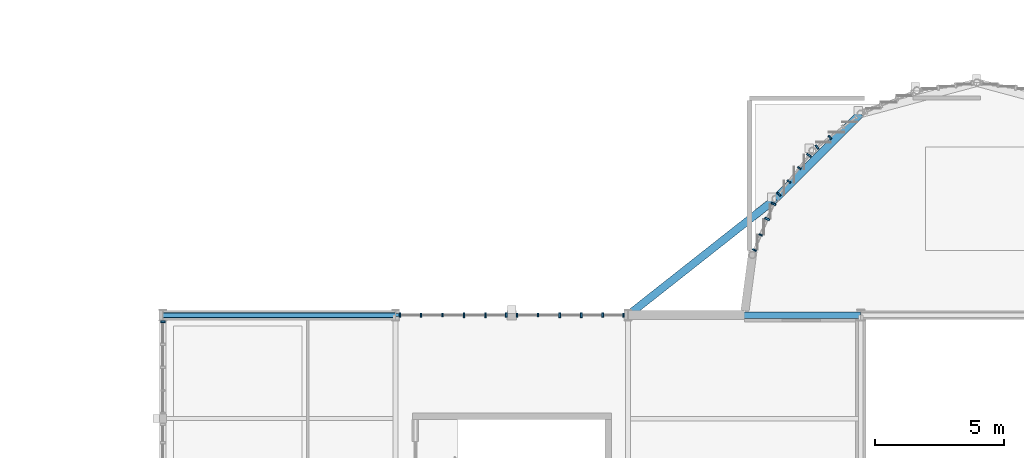
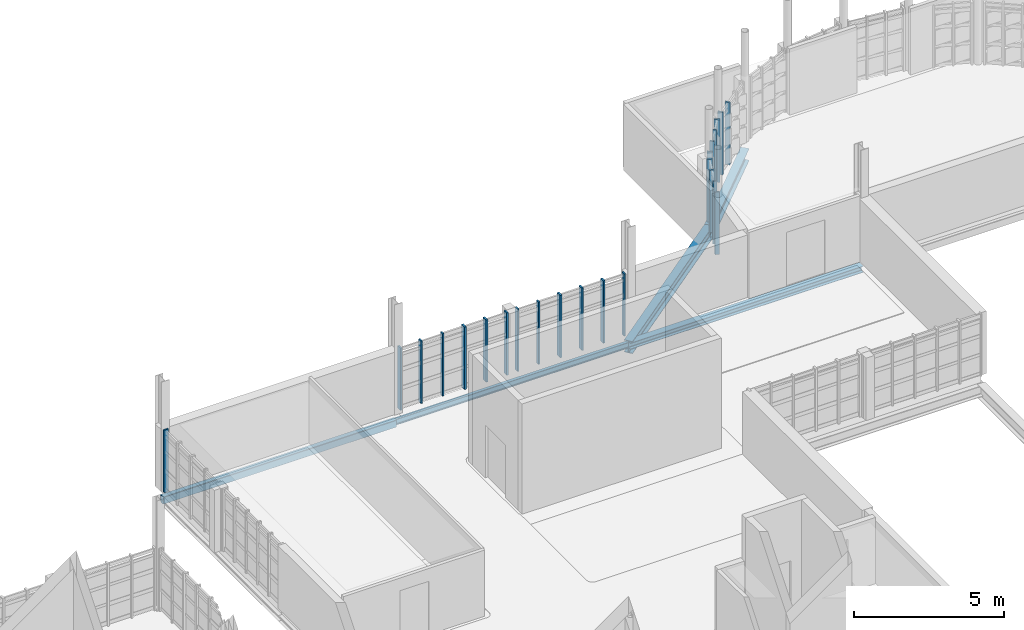
# One storey, part 12 of 44: 23 members, 5 beams, 6 elements without a shape of their own.
"""IFC4 building model written with IfcOpenShell, lengths in metres."""

from ifc_helpers import new_model, si_unit, direction, frame, origin, origin_2d, place, context, subcontext, project, spatial, rectangle, hollow_rectangle, i_section, extrude, material, material_profile, profile_set, type_object, element, aggregate, save


model = new_model("IFC4")

# Units and contexts
model_context = context("Model", 3, precision=1e-05, world=origin(), true_north=direction((0.0, 1.0)))
body_context = subcontext(model_context, "Body", "Model", "MODEL_VIEW")
ifc_project = project(units=[si_unit("LENGTHUNIT", "METRE"), si_unit("AREAUNIT", "SQUARE_METRE"), si_unit("VOLUMEUNIT", "CUBIC_METRE"), si_unit("PLANEANGLEUNIT", "RADIAN"), si_unit("MASSUNIT", "GRAM", prefix="KILO")], contexts=[model_context])

# Site, building, storey
site_placement = place(None, origin())
site = spatial("IfcSite", under=ifc_project, at=site_placement, CompositionType="ELEMENT")
building_placement = place(site_placement, origin())
building = spatial("IfcBuilding", under=site, at=building_placement, Name="Serraforn Aerial Cableway Station", CompositionType="ELEMENT")
storey_placement = place(building_placement, frame((0.0, 0.0, 13.800048828125)))
storey = spatial("IfcBuildingStorey", under=building, at=storey_placement, Name="L03", CompositionType="ELEMENT", Elevation=13.800048828125)

# Beams
ifc_material_1 = material(Name="Steel S355J2", Category="steel")
ifc_material_profile_1 = material_profile(ifc_material_1, i_section(OverallWidth=0.300048828125, OverallDepth=0.5, WebThickness=0.011962890625, FlangeThickness=0.02294921875, FilletRadius=0.027099609375, at=origin_2d()), Name="HEA 500")
ifc_profile_set_1 = profile_set([ifc_material_profile_1], Name="Steel S355J2")
beam_type_1 = type_object("IfcBeamType", Name="BM-ST-HEA500", PredefinedType="USERDEFINED", material=ifc_profile_set_1)
beam_1_placement = place(storey_placement, frame((45.60009765625, 42.0, -0.545166015625), z_axis=(0.785189683878, 0.619255327253, 0.0), x_axis=(-0.619255327253, 0.785189683878, 0.0)))
element("IfcBeam", 1, at=beam_1_placement, inside=storey, type_object=beam_type_1, Name="Apse Ring Girder L03-1", ObjectType="GIRDER", PredefinedType="USERDEFINED", context=body_context, shape_type="SweptSolid", body=[
    extrude(i_section(OverallWidth=0.300048828125, OverallDepth=0.5, WebThickness=0.011962890625, FlangeThickness=0.02294921875, FilletRadius=0.027099609375, at=origin_2d()), origin(), (0.0, 0.0, 1.0), 7.266845703125),
])
beam_2_placement = place(storey_placement, frame((51.305908203125, 46.5, -0.545166015625), z_axis=(0.707106781187, 0.707106781187, 0.0), x_axis=(-0.707106781187, 0.707106781187, 0.0)))
element("IfcBeam", 2, at=beam_2_placement, inside=storey, type_object=beam_type_1, Name="Apse Ring Girder L03-2", ObjectType="GIRDER", PredefinedType="USERDEFINED", context=body_context, shape_type="SweptSolid", body=[
    extrude(i_section(OverallWidth=0.300048828125, OverallDepth=0.5, WebThickness=0.011962890625, FlangeThickness=0.02294921875, FilletRadius=0.027099609375, at=origin_2d()), origin(), (0.0, 0.0, 1.0), 4.65869140625),
])
ifc_material_profile_2 = material_profile(ifc_material_1, i_section(OverallWidth=0.260009765625, OverallDepth=0.260009765625, WebThickness=0.010009765625, FlangeThickness=0.017578125, FilletRadius=0.02392578125, at=origin_2d()), Name="HEB 260")
ifc_profile_set_2 = profile_set([ifc_material_profile_2], Name="Steel S355J2")
beam_type_2 = type_object("IfcBeamType", Name="BM-ST-HEB260", PredefinedType="BEAM", material=ifc_profile_set_2)
beam_3_placement = place(storey_placement, frame((45.60009765625, 42.0, -0.449951171875), z_axis=(1.0, 0.0, 0.0), x_axis=(0.0, 1.0, 0.0)))
element("IfcBeam", 3, at=beam_3_placement, inside=storey, type_object=beam_type_2, Name="Grid Girder X CV L03 Y4-3", PredefinedType="BEAM", context=body_context, shape_type="SweptSolid", body=[
    extrude(i_section(OverallWidth=0.260009765625, OverallDepth=0.260009765625, WebThickness=0.010009765625, FlangeThickness=0.017578125, FilletRadius=0.02392578125, at=origin_2d()), origin(), (0.0, 0.0, 1.0), 9.0),
])
ifc_material_2 = material(Name="Steel S355JR", Category="steel")
ifc_material_profile_3 = material_profile(ifc_material_2, i_section(OverallWidth=0.1201171875, OverallDepth=0.239990234375, WebThickness=0.006103515625, FlangeThickness=0.009765625, FilletRadius=0.014892578125, at=origin_2d()), Name="IPE 240")
ifc_profile_set_3 = profile_set([ifc_material_profile_3], Name="Steel S355JR")
beam_type_3 = type_object("IfcBeamType", Name="BM-ST-IPE240", PredefinedType="SPANDREL", material=ifc_profile_set_3)
beam_4_placement = place(storey_placement, frame((36.60009765625, 42.0, -0.43994140625), z_axis=(1.0, 0.0, 0.0), x_axis=(0.0, 1.0, 0.0)))
element("IfcBeam", 4, at=beam_4_placement, inside=storey, type_object=beam_type_3, Name="Grid Girder X CV L03 Y4-2", PredefinedType="SPANDREL", context=body_context, shape_type="SweptSolid", body=[
    extrude(i_section(OverallWidth=0.1201171875, OverallDepth=0.239990234375, WebThickness=0.006103515625, FlangeThickness=0.009765625, FilletRadius=0.014892578125, at=origin_2d()), origin(), (0.0, 0.0, 1.0), 9.0),
])
ifc_material_profile_4 = material_profile(ifc_material_1, hollow_rectangle(XDim=0.199951171875, YDim=0.300048828125, WallThickness=0.012451171875, InnerFilletRadius=0.012451171875, OuterFilletRadius=0.02490234375, at=origin_2d()), Name="RHS 300x200x12.5")
ifc_profile_set_4 = profile_set([ifc_material_profile_4], Name="Steel S355J2")
beam_type_4 = type_object("IfcBeamType", Name="BM-ST-RHS300", PredefinedType="SPANDREL", material=ifc_profile_set_4)
beam_5_placement = place(storey_placement, frame((27.60009765625, 42.0, -0.469970703125), z_axis=(1.0, 0.0, 0.0), x_axis=(0.0, 1.0, 0.0)))
element("IfcBeam", 5, at=beam_5_placement, inside=storey, type_object=beam_type_4, Name="Grid Girder X CV L03 Y4-1", PredefinedType="SPANDREL", context=body_context, shape_type="SweptSolid", body=[
    extrude(hollow_rectangle(XDim=0.199951171875, YDim=0.300048828125, WallThickness=0.012451171875, InnerFilletRadius=0.012451171875, OuterFilletRadius=0.02490234375, at=origin_2d()), origin(), (0.0, 0.0, 1.0), 9.0),
])

# Curtain wall, member
ifc_material_3 = material(Name="Anodised bronze unitised curtain wall")
curtain_wall_type_1 = type_object("IfcCurtainWallType", Name="CW-SYS-19", PredefinedType="USERDEFINED", material=ifc_material_3)
curtain_wall_1_placement = place(storey_placement, origin())
curtain_wall_1 = element("IfcCurtainWall", 6, at=curtain_wall_1_placement, inside=storey, type_object=curtain_wall_type_1, Name="Unitised Curtain Wall CW-CV-L03-N2A", ObjectType="UNITISED CURTAIN WALL", PredefinedType="USERDEFINED")
ifc_material_4 = material(Name="Anodised bronze extruded aluminium", Category="aluminium")
ifc_material_profile_5 = material_profile(ifc_material_4, rectangle(XDim=0.054931640625, YDim=0.139892578125, at=origin_2d()), Name="CW MULLION 55x140")
ifc_profile_set_5 = profile_set([ifc_material_profile_5], Name="Anodised bronze extruded aluminium")
member_type_1 = type_object("IfcMemberType", Name="CW-MUL-1", PredefinedType="MULLION", material=ifc_profile_set_5)
member_1_placement = place(storey_placement, frame((42.114501953125, 42.0, 0.0), z_axis=(0.0, 0.0, 1.0), x_axis=(-1.0, 0.0, 0.0)))
member_1 = element("IfcMember", 7, at=member_1_placement, type_object=member_type_1, Name="Curtain Wall Mullion CW-CV-L03-N2A-M5", PredefinedType="MULLION", context=body_context, shape_type="SweptSolid", body=[
    extrude(rectangle(XDim=0.054931640625, YDim=0.139892578125, at=origin_2d()), origin(), (0.0, 0.0, 1.0), 2.550048828125),
])

curtain_wall_type_2 = type_object("IfcCurtainWallType", Name="CW-SYS-20", PredefinedType="USERDEFINED", material=ifc_material_3)
curtain_wall_2_placement = place(storey_placement, origin())
curtain_wall_2 = element("IfcCurtainWall", 8, at=curtain_wall_2_placement, inside=storey, type_object=curtain_wall_type_2, Name="Unitised Curtain Wall CW-CV-L03-N2B", ObjectType="UNITISED CURTAIN WALL", PredefinedType="USERDEFINED")
member_2_placement = place(storey_placement, frame((38.416748046875, 42.0, 0.0), z_axis=(0.0, 0.0, 1.0), x_axis=(-1.0, 0.0, 0.0)))
member_2 = element("IfcMember", 9, at=member_2_placement, type_object=member_type_1, Name="Curtain Wall Mullion CW-CV-L03-N2B-M4", PredefinedType="MULLION", context=body_context, shape_type="SweptSolid", body=[
    extrude(rectangle(XDim=0.054931640625, YDim=0.139892578125, at=origin_2d()), origin(), (0.0, 0.0, 1.0), 2.550048828125),
])

curtain_wall_type_3 = type_object("IfcCurtainWallType", Name="CW-SYS-21", PredefinedType="USERDEFINED", material=ifc_material_3)
curtain_wall_3_placement = place(storey_placement, origin())
curtain_wall_3 = element("IfcCurtainWall", 10, at=curtain_wall_3_placement, inside=storey, type_object=curtain_wall_type_3, Name="Unitised Curtain Wall CW-AP-L03-R2", ObjectType="UNITISED CURTAIN WALL", PredefinedType="USERDEFINED")
member_3_placement = place(storey_placement, frame((50.72900390625, 45.107177734375, 0.0), z_axis=(0.0, 0.0, 1.0), x_axis=(-0.382665829353, -0.923886823721, 0.0)))
member_3 = element("IfcMember", 11, at=member_3_placement, type_object=member_type_1, Name="Curtain Wall Mullion CW-AP-L03-R2-M3", PredefinedType="MULLION", context=body_context, shape_type="SweptSolid", body=[
    extrude(rectangle(XDim=0.054931640625, YDim=0.139892578125, at=origin_2d()), origin(), (0.0, 0.0, 1.0), 2.550048828125),
])

curtain_wall_type_4 = type_object("IfcCurtainWallType", Name="CW-SYS-22", PredefinedType="USERDEFINED", material=ifc_material_3)
curtain_wall_4_placement = place(storey_placement, origin())
curtain_wall_4 = element("IfcCurtainWall", 12, at=curtain_wall_4_placement, inside=storey, type_object=curtain_wall_type_4, Name="Unitised Curtain Wall CW-AP-L03-R3", ObjectType="UNITISED CURTAIN WALL", PredefinedType="USERDEFINED")
member_4_placement = place(storey_placement, frame((52.220703125, 47.692626953125, 0.0), z_axis=(0.0, 0.0, 1.0), x_axis=(-0.608748968173, -0.793362901671, 0.0)))
member_4 = element("IfcMember", 13, at=member_4_placement, type_object=member_type_1, Name="Curtain Wall Mullion CW-AP-L03-R3-M2", PredefinedType="MULLION", context=body_context, shape_type="SweptSolid", body=[
    extrude(rectangle(XDim=0.054931640625, YDim=0.139892578125, at=origin_2d()), origin(), (0.0, 0.0, 1.0), 2.550048828125),
])

# Member
ifc_material_profile_6 = material_profile(ifc_material_4, rectangle(XDim=0.06005859375, YDim=0.159912109375, at=origin_2d()), Name="CW MULLION 60x160")
ifc_profile_set_6 = profile_set([ifc_material_profile_6], Name="Anodised bronze extruded aluminium")
member_type_2 = type_object("IfcMemberType", Name="CW-MUL-2", PredefinedType="MULLION", material=ifc_profile_set_6)
member_5_placement = place(storey_placement, frame((45.422119140625, 42.0, 0.0), z_axis=(0.0, 0.0, 1.0), x_axis=(-1.0, 0.0, 0.0)))
member_5 = element("IfcMember", 14, at=member_5_placement, type_object=member_type_2, Name="Curtain Wall Mullion CW-CV-L03-N2A-M1", PredefinedType="MULLION", context=body_context, shape_type="SweptSolid", body=[
    extrude(rectangle(XDim=0.06005859375, YDim=0.159912109375, at=origin_2d()), origin(), (0.0, 0.0, 1.0), 2.550048828125),
])

member_6_placement = place(storey_placement, frame((41.31005859375, 42.0, 0.0), z_axis=(0.0, 0.0, 1.0), x_axis=(-1.0, 0.0, 0.0)))
member_6 = element("IfcMember", 15, at=member_6_placement, type_object=member_type_2, Name="Curtain Wall Mullion CW-CV-L03-N2A-M6", PredefinedType="MULLION", context=body_context, shape_type="SweptSolid", body=[
    extrude(rectangle(XDim=0.06005859375, YDim=0.159912109375, at=origin_2d()), origin(), (0.0, 0.0, 1.0), 2.550048828125),
])

member_7_placement = place(storey_placement, frame((37.58251953125, 42.0, 0.0), z_axis=(0.0, 0.0, 1.0), x_axis=(-1.0, 0.0, 0.0)))
member_7 = element("IfcMember", 16, at=member_7_placement, type_object=member_type_2, Name="Curtain Wall Mullion CW-CV-L03-N2B-M5", PredefinedType="MULLION", context=body_context, shape_type="SweptSolid", body=[
    extrude(rectangle(XDim=0.06005859375, YDim=0.159912109375, at=origin_2d()), origin(), (0.0, 0.0, 1.0), 2.550048828125),
])

member_8_placement = place(storey_placement, frame((50.485595703125, 44.52001953125, 0.0), z_axis=(0.0, 0.0, 1.0), x_axis=(-0.382665829353, -0.923886823721, 0.0)))
member_8 = element("IfcMember", 17, at=member_8_placement, type_object=member_type_2, Name="Curtain Wall Mullion CW-AP-L03-R2-M4", PredefinedType="MULLION", context=body_context, shape_type="SweptSolid", body=[
    extrude(rectangle(XDim=0.06005859375, YDim=0.159912109375, at=origin_2d()), origin(), (0.0, 0.0, 1.0), 2.550048828125),
])

member_9_placement = place(storey_placement, frame((51.821044921875, 47.17138671875, 0.0), z_axis=(0.0, 0.0, 1.0), x_axis=(-0.608748968173, -0.793362901671, 0.0)))
member_9 = element("IfcMember", 18, at=member_9_placement, type_object=member_type_2, Name="Curtain Wall Mullion CW-AP-L03-R3-M3", PredefinedType="MULLION", context=body_context, shape_type="SweptSolid", body=[
    extrude(rectangle(XDim=0.06005859375, YDim=0.159912109375, at=origin_2d()), origin(), (0.0, 0.0, 1.0), 2.550048828125),
])

# Curtain wall, member
curtain_wall_type_5 = type_object("IfcCurtainWallType", Name="CW-SYS-15", PredefinedType="USERDEFINED", material=ifc_material_3)
curtain_wall_5_placement = place(storey_placement, origin())
curtain_wall_5 = element("IfcCurtainWall", 19, at=curtain_wall_5_placement, inside=storey, type_object=curtain_wall_type_5, Name="Unitised Curtain Wall CW-CV-L03-W3A", ObjectType="UNITISED CURTAIN WALL", PredefinedType="USERDEFINED")
ifc_material_profile_7 = material_profile(ifc_material_4, rectangle(XDim=0.06494140625, YDim=0.175048828125, at=origin_2d()), Name="CW MULLION 65x175")
ifc_profile_set_7 = profile_set([ifc_material_profile_7], Name="Anodised bronze extruded aluminium")
member_type_3 = type_object("IfcMemberType", Name="CW-MUL-3", PredefinedType="MULLION", material=ifc_profile_set_7)
member_10_placement = place(storey_placement, frame((27.60009765625, 41.744384765625, 0.0), z_axis=(0.0, 0.0, 1.0), x_axis=(0.0, -1.0, 0.0)))
member_10 = element("IfcMember", 20, at=member_10_placement, type_object=member_type_3, Name="Curtain Wall Mullion CW-CV-L03-W3A-M1", PredefinedType="MULLION", context=body_context, shape_type="SweptSolid", body=[
    extrude(rectangle(XDim=0.06494140625, YDim=0.175048828125, at=origin_2d()), origin(), (0.0, 0.0, 1.0), 2.550048828125),
])
aggregate(curtain_wall_5, [member_10])

# Member
member_11_placement = place(storey_placement, frame((44.61767578125, 42.0, 0.0), z_axis=(0.0, 0.0, 1.0), x_axis=(-1.0, 0.0, 0.0)))
member_11 = element("IfcMember", 21, at=member_11_placement, type_object=member_type_3, Name="Curtain Wall Mullion CW-CV-L03-N2A-M2", PredefinedType="MULLION", context=body_context, shape_type="SweptSolid", body=[
    extrude(rectangle(XDim=0.06494140625, YDim=0.175048828125, at=origin_2d()), origin(), (0.0, 0.0, 1.0), 2.550048828125),
])

member_12_placement = place(storey_placement, frame((40.887451171875, 42.0, 0.0), z_axis=(0.0, 0.0, 1.0), x_axis=(-1.0, 0.0, 0.0)))
member_12 = element("IfcMember", 22, at=member_12_placement, type_object=member_type_3, Name="Curtain Wall Mullion CW-CV-L03-N2B-M1", PredefinedType="MULLION", context=body_context, shape_type="SweptSolid", body=[
    extrude(rectangle(XDim=0.06494140625, YDim=0.175048828125, at=origin_2d()), origin(), (0.0, 0.0, 1.0), 2.550048828125),
])

member_13_placement = place(storey_placement, frame((36.780517578125, 42.0, 0.0), z_axis=(0.0, 0.0, 1.0), x_axis=(-1.0, 0.0, 0.0)))
member_13 = element("IfcMember", 23, at=member_13_placement, type_object=member_type_3, Name="Curtain Wall Mullion CW-CV-L03-N2B-M6", PredefinedType="MULLION", context=body_context, shape_type="SweptSolid", body=[
    extrude(rectangle(XDim=0.06494140625, YDim=0.175048828125, at=origin_2d()), origin(), (0.0, 0.0, 1.0), 2.550048828125),
])

member_14_placement = place(storey_placement, frame((51.44091796875, 46.676025390625, 0.0), z_axis=(0.0, 0.0, 1.0), x_axis=(-0.608748968173, -0.793362901671, 0.0)))
member_14 = element("IfcMember", 24, at=member_14_placement, type_object=member_type_3, Name="Curtain Wall Mullion CW-AP-L03-R3-M4", PredefinedType="MULLION", context=body_context, shape_type="SweptSolid", body=[
    extrude(rectangle(XDim=0.06494140625, YDim=0.175048828125, at=origin_2d()), origin(), (0.0, 0.0, 1.0), 2.550048828125),
])

# Curtain wall, member
curtain_wall_type_6 = type_object("IfcCurtainWallType", Name="CW-SYS-23", PredefinedType="USERDEFINED", material=ifc_material_3)
curtain_wall_6_placement = place(storey_placement, origin())
curtain_wall_6 = element("IfcCurtainWall", 25, at=curtain_wall_6_placement, inside=storey, type_object=curtain_wall_type_6, Name="Unitised Curtain Wall CW-AP-L03-R4", ObjectType="UNITISED CURTAIN WALL", PredefinedType="USERDEFINED")
member_15_placement = place(storey_placement, frame((53.407470703125, 48.879150390625, 0.0), z_axis=(0.0, 0.0, 1.0), x_axis=(-0.793362901671, -0.608748968173, 0.0)))
member_15 = element("IfcMember", 26, at=member_15_placement, type_object=member_type_3, Name="Curtain Wall Mullion CW-AP-L03-R4-M3", PredefinedType="MULLION", context=body_context, shape_type="SweptSolid", body=[
    extrude(rectangle(XDim=0.06494140625, YDim=0.175048828125, at=origin_2d()), origin(), (0.0, 0.0, 1.0), 2.550048828125),
])

# Member
ifc_material_profile_8 = material_profile(ifc_material_4, rectangle(XDim=0.070068359375, YDim=0.18994140625, at=origin_2d()), Name="CW MULLION 70x190")
ifc_profile_set_8 = profile_set([ifc_material_profile_8], Name="Anodised bronze extruded aluminium")
member_type_4 = type_object("IfcMemberType", Name="CW-MUL-4", PredefinedType="MULLION", material=ifc_profile_set_8)
member_16_placement = place(storey_placement, frame((43.783203125, 42.0, 0.0), z_axis=(0.0, 0.0, 1.0), x_axis=(-1.0, 0.0, 0.0)))
member_16 = element("IfcMember", 27, at=member_16_placement, type_object=member_type_4, Name="Curtain Wall Mullion CW-CV-L03-N2A-M3", PredefinedType="MULLION", context=body_context, shape_type="SweptSolid", body=[
    extrude(rectangle(XDim=0.070068359375, YDim=0.18994140625, at=origin_2d()), origin(), (0.0, 0.0, 1.0), 2.550048828125),
])

member_17_placement = place(storey_placement, frame((40.085693359375, 42.0, 0.0), z_axis=(0.0, 0.0, 1.0), x_axis=(-1.0, 0.0, 0.0)))
member_17 = element("IfcMember", 28, at=member_17_placement, type_object=member_type_4, Name="Curtain Wall Mullion CW-CV-L03-N2B-M2", PredefinedType="MULLION", context=body_context, shape_type="SweptSolid", body=[
    extrude(rectangle(XDim=0.070068359375, YDim=0.18994140625, at=origin_2d()), origin(), (0.0, 0.0, 1.0), 2.550048828125),
])

member_18_placement = place(storey_placement, frame((51.224853515625, 46.3046875, 0.0), z_axis=(0.0, 0.0, 1.0), x_axis=(-0.382665829353, -0.923886823721, 0.0)))
member_18 = element("IfcMember", 29, at=member_18_placement, type_object=member_type_4, Name="Curtain Wall Mullion CW-AP-L03-R2-M1", PredefinedType="MULLION", context=body_context, shape_type="SweptSolid", body=[
    extrude(rectangle(XDim=0.070068359375, YDim=0.18994140625, at=origin_2d()), origin(), (0.0, 0.0, 1.0), 2.550048828125),
])

member_19_placement = place(storey_placement, frame((52.9140625, 48.50048828125, 0.0), z_axis=(0.0, 0.0, 1.0), x_axis=(-0.793362901671, -0.608748968173, 0.0)))
member_19 = element("IfcMember", 30, at=member_19_placement, type_object=member_type_4, Name="Curtain Wall Mullion CW-AP-L03-R4-M4", PredefinedType="MULLION", context=body_context, shape_type="SweptSolid", body=[
    extrude(rectangle(XDim=0.070068359375, YDim=0.18994140625, at=origin_2d()), origin(), (0.0, 0.0, 1.0), 2.550048828125),
])

aggregate(curtain_wall_6, [member_15, member_19])

ifc_material_profile_9 = material_profile(ifc_material_4, rectangle(XDim=0.074951171875, YDim=0.199951171875, at=origin_2d()), Name="CW MULLION 75x200")
ifc_profile_set_9 = profile_set([ifc_material_profile_9], Name="Anodised bronze extruded aluminium")
member_type_5 = type_object("IfcMemberType", Name="CW-MUL-5", PredefinedType="MULLION", material=ifc_profile_set_9)
member_20_placement = place(storey_placement, frame((42.94873046875, 42.0, 0.0), z_axis=(0.0, 0.0, 1.0), x_axis=(-1.0, 0.0, 0.0)))
member_20 = element("IfcMember", 31, at=member_20_placement, type_object=member_type_5, Name="Curtain Wall Mullion CW-CV-L03-N2A-M4", PredefinedType="MULLION", context=body_context, shape_type="SweptSolid", body=[
    extrude(rectangle(XDim=0.074951171875, YDim=0.199951171875, at=origin_2d()), origin(), (0.0, 0.0, 1.0), 2.550048828125),
])

aggregate(curtain_wall_1, [member_5, member_11, member_16, member_20, member_1, member_6])

member_21_placement = place(storey_placement, frame((39.251220703125, 42.0, 0.0), z_axis=(0.0, 0.0, 1.0), x_axis=(-1.0, 0.0, 0.0)))
member_21 = element("IfcMember", 32, at=member_21_placement, type_object=member_type_5, Name="Curtain Wall Mullion CW-CV-L03-N2B-M3", PredefinedType="MULLION", context=body_context, shape_type="SweptSolid", body=[
    extrude(rectangle(XDim=0.074951171875, YDim=0.199951171875, at=origin_2d()), origin(), (0.0, 0.0, 1.0), 2.550048828125),
])

aggregate(curtain_wall_2, [member_12, member_17, member_21, member_2, member_7, member_13])

member_22_placement = place(storey_placement, frame((50.983642578125, 45.72216796875, 0.0), z_axis=(0.0, 0.0, 1.0), x_axis=(-0.382665829353, -0.923886823721, 0.0)))
member_22 = element("IfcMember", 33, at=member_22_placement, type_object=member_type_5, Name="Curtain Wall Mullion CW-AP-L03-R2-M2", PredefinedType="MULLION", context=body_context, shape_type="SweptSolid", body=[
    extrude(rectangle(XDim=0.074951171875, YDim=0.199951171875, at=origin_2d()), origin(), (0.0, 0.0, 1.0), 2.550048828125),
])

aggregate(curtain_wall_3, [member_18, member_22, member_3, member_8])

member_23_placement = place(storey_placement, frame((52.597900390625, 48.183837890625, 0.0), z_axis=(0.0, 0.0, 1.0), x_axis=(-0.608748968173, -0.793362901671, 0.0)))
member_23 = element("IfcMember", 34, at=member_23_placement, type_object=member_type_5, Name="Curtain Wall Mullion CW-AP-L03-R3-M1", PredefinedType="MULLION", context=body_context, shape_type="SweptSolid", body=[
    extrude(rectangle(XDim=0.074951171875, YDim=0.199951171875, at=origin_2d()), origin(), (0.0, 0.0, 1.0), 2.550048828125),
])

aggregate(curtain_wall_4, [member_23, member_4, member_9, member_14])

save(model, "model.ifc")
